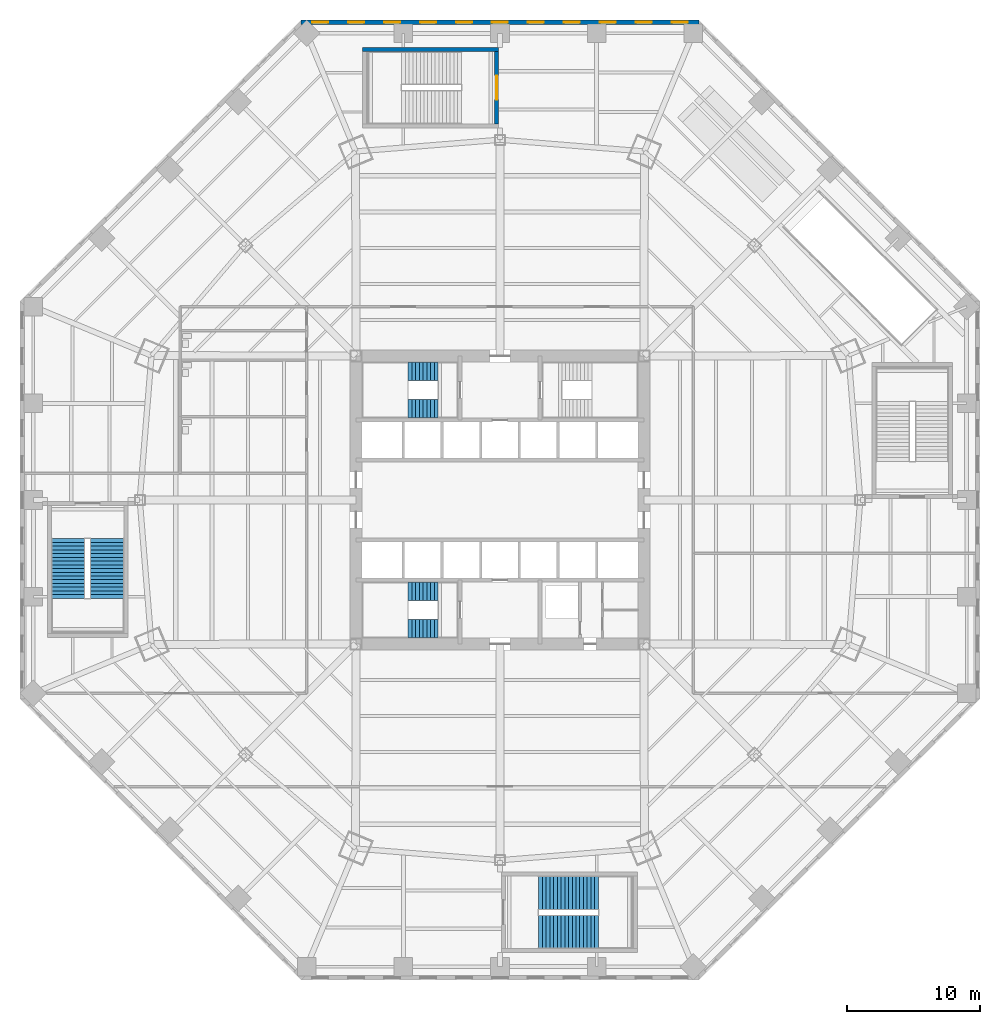
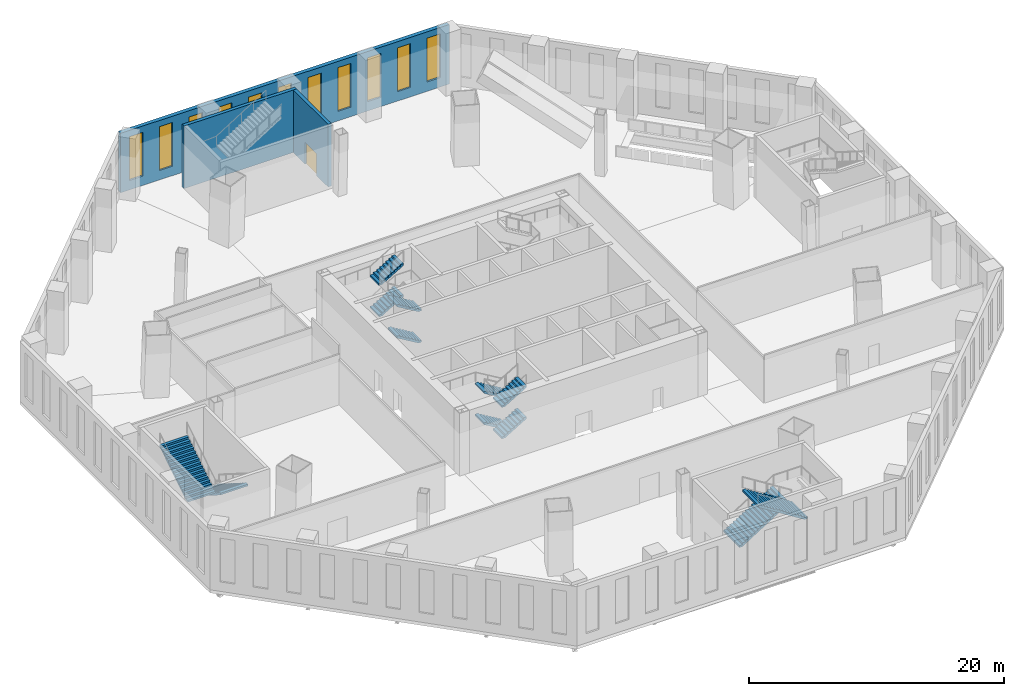
# One storey, part 13 of 20: 12 stair flights, 11 windows, 3 walls, 1 door, 12 openings, 4 elements without a shape of their own.
"""IFC4 building model written with IfcOpenShell, lengths in metres."""

from ifc_helpers import new_model, si_unit, direction, frame, frame_2d, origin, place, context, subcontext, project, spatial, polyline, rectangle, outline, extrude, material, layer, layer_set, type_object, element, fill, aggregate, save


model = new_model("IFC4")

# Units and contexts
model_context = context("Model", 3, precision=1e-05, world=origin(), true_north=direction((0.0, 1.0)))
body_context = subcontext(model_context, "Body", "Model", "MODEL_VIEW")
ifc_project = project(units=[si_unit("LENGTHUNIT", "METRE"), si_unit("AREAUNIT", "SQUARE_METRE"), si_unit("VOLUMEUNIT", "CUBIC_METRE"), si_unit("PLANEANGLEUNIT", "RADIAN"), si_unit("MASSUNIT", "GRAM", prefix="KILO")], contexts=[model_context])

# Site, building, storey
site_placement = place(None, origin())
site = spatial("IfcSite", under=ifc_project, at=site_placement, CompositionType="ELEMENT")
building_placement = place(site_placement, origin())
building = spatial("IfcBuilding", under=site, at=building_placement, Name="Mashrafa Tower", CompositionType="ELEMENT")
storey_placement = place(building_placement, frame((0.0, 0.0, 7.199951171875)))
storey = spatial("IfcBuildingStorey", under=building, at=storey_placement, Name="L01", CompositionType="ELEMENT", Elevation=7.199951171875)

# Wall, openings, windows
ifc_material_1 = material(Name="Riyadh limestone cladding on blockwork", Category="masonry")
ifc_layer_1 = layer(ifc_material_1, 0.35009765625)
ifc_layer_set_1 = layer_set([ifc_layer_1], Name="Limestone-clad external wall 350")
wall_type_1 = type_object("IfcWallType", Name="Limestone-clad external wall 350", PredefinedType="SOLIDWALL", material=ifc_layer_set_1)
wall_1_placement = place(storey_placement, frame((14.91162109375, 35.824951171875, 0.0), z_axis=(0.0, 0.0, 1.0), x_axis=(-1.0, 0.0, 0.0)))
wall_1 = element("IfcWall", 1, at=wall_1_placement, inside=storey, type_object=wall_type_1, Name="Limestone-clad external wall L01 north", PredefinedType="SOLIDWALL", context=body_context, shape_type="SweptSolid", body=[
    extrude(rectangle(XDim=29.8232421875, YDim=0.35009765625, at=frame_2d((14.91162109375, 0.0))), origin(), (0.0, 0.0, 1.0), 5.699951171875),
])
opening_1_placement = place(wall_1_placement, frame((0.821533203125, 0.0, 0.89990234375)))
opening_1 = element("IfcOpeningElement", 2, at=opening_1_placement, cuts=wall_1, Name="Opening W1", PredefinedType="OPENING", context=body_context, shape_type="SweptSolid", body=[
    extrude(rectangle(XDim=1.199951171875, YDim=4.199951171875, at=frame_2d((0.60009765625, 2.10009765625))), frame((0.0, 0.18505859375, 0.0), z_axis=(0.0, -1.0, 0.0), x_axis=(1.0, 0.0, 0.0)), (0.0, 0.0, 1.0), 0.3701171875),
])
opening_2_placement = place(wall_1_placement, frame((3.51953125, 0.0, 0.89990234375)))
opening_2 = element("IfcOpeningElement", 3, at=opening_2_placement, cuts=wall_1, Name="Opening W1", PredefinedType="OPENING", context=body_context, shape_type="SweptSolid", body=[
    extrude(rectangle(XDim=1.199951171875, YDim=4.199951171875, at=frame_2d((0.60009765625, 2.10009765625))), frame((0.0, 0.18505859375, 0.0), z_axis=(0.0, -1.0, 0.0), x_axis=(1.0, 0.0, 0.0)), (0.0, 0.0, 1.0), 0.3701171875),
])
opening_3_placement = place(wall_1_placement, frame((6.217529296875, 0.0, 0.89990234375)))
opening_3 = element("IfcOpeningElement", 4, at=opening_3_placement, cuts=wall_1, Name="Opening W1", PredefinedType="OPENING", context=body_context, shape_type="SweptSolid", body=[
    extrude(rectangle(XDim=1.199951171875, YDim=4.199951171875, at=frame_2d((0.60009765625, 2.10009765625))), frame((0.0, 0.18505859375, 0.0), z_axis=(0.0, -1.0, 0.0), x_axis=(1.0, 0.0, 0.0)), (0.0, 0.0, 1.0), 0.3701171875),
])
opening_4_placement = place(wall_1_placement, frame((8.91552734375, 0.0, 0.89990234375)))
opening_4 = element("IfcOpeningElement", 5, at=opening_4_placement, cuts=wall_1, Name="Opening W1", PredefinedType="OPENING", context=body_context, shape_type="SweptSolid", body=[
    extrude(rectangle(XDim=1.199951171875, YDim=4.199951171875, at=frame_2d((0.60009765625, 2.10009765625))), frame((0.0, 0.18505859375, 0.0), z_axis=(0.0, -1.0, 0.0), x_axis=(1.0, 0.0, 0.0)), (0.0, 0.0, 1.0), 0.3701171875),
])
opening_5_placement = place(wall_1_placement, frame((11.61376953125, 0.0, 0.89990234375)))
opening_5 = element("IfcOpeningElement", 6, at=opening_5_placement, cuts=wall_1, Name="Opening W1", PredefinedType="OPENING", context=body_context, shape_type="SweptSolid", body=[
    extrude(rectangle(XDim=1.199951171875, YDim=4.199951171875, at=frame_2d((0.60009765625, 2.10009765625))), frame((0.0, 0.18505859375, 0.0), z_axis=(0.0, -1.0, 0.0), x_axis=(1.0, 0.0, 0.0)), (0.0, 0.0, 1.0), 0.3701171875),
])
opening_6_placement = place(wall_1_placement, frame((14.311767578125, 0.0, 0.89990234375)))
opening_6 = element("IfcOpeningElement", 7, at=opening_6_placement, cuts=wall_1, Name="Opening W1", PredefinedType="OPENING", context=body_context, shape_type="SweptSolid", body=[
    extrude(rectangle(XDim=1.199951171875, YDim=4.199951171875, at=frame_2d((0.60009765625, 2.10009765625))), frame((0.0, 0.18505859375, 0.0), z_axis=(0.0, -1.0, 0.0), x_axis=(1.0, 0.0, 0.0)), (0.0, 0.0, 1.0), 0.3701171875),
])
opening_7_placement = place(wall_1_placement, frame((17.009765625, 0.0, 0.89990234375)))
opening_7 = element("IfcOpeningElement", 8, at=opening_7_placement, cuts=wall_1, Name="Opening W1", PredefinedType="OPENING", context=body_context, shape_type="SweptSolid", body=[
    extrude(rectangle(XDim=1.199951171875, YDim=4.199951171875, at=frame_2d((0.60009765625, 2.10009765625))), frame((0.0, 0.18505859375, 0.0), z_axis=(0.0, -1.0, 0.0), x_axis=(1.0, 0.0, 0.0)), (0.0, 0.0, 1.0), 0.3701171875),
])
opening_8_placement = place(wall_1_placement, frame((19.707763671875, 0.0, 0.89990234375)))
opening_8 = element("IfcOpeningElement", 9, at=opening_8_placement, cuts=wall_1, Name="Opening W1", PredefinedType="OPENING", context=body_context, shape_type="SweptSolid", body=[
    extrude(rectangle(XDim=1.199951171875, YDim=4.199951171875, at=frame_2d((0.60009765625, 2.10009765625))), frame((0.0, 0.18505859375, 0.0), z_axis=(0.0, -1.0, 0.0), x_axis=(1.0, 0.0, 0.0)), (0.0, 0.0, 1.0), 0.3701171875),
])
opening_9_placement = place(wall_1_placement, frame((22.40576171875, 0.0, 0.89990234375)))
opening_9 = element("IfcOpeningElement", 10, at=opening_9_placement, cuts=wall_1, Name="Opening W1", PredefinedType="OPENING", context=body_context, shape_type="SweptSolid", body=[
    extrude(rectangle(XDim=1.199951171875, YDim=4.199951171875, at=frame_2d((0.60009765625, 2.10009765625))), frame((0.0, 0.18505859375, 0.0), z_axis=(0.0, -1.0, 0.0), x_axis=(1.0, 0.0, 0.0)), (0.0, 0.0, 1.0), 0.3701171875),
])
opening_10_placement = place(wall_1_placement, frame((25.103759765625, 0.0, 0.89990234375)))
opening_10 = element("IfcOpeningElement", 11, at=opening_10_placement, cuts=wall_1, Name="Opening W1", PredefinedType="OPENING", context=body_context, shape_type="SweptSolid", body=[
    extrude(rectangle(XDim=1.199951171875, YDim=4.199951171875, at=frame_2d((0.60009765625, 2.10009765625))), frame((0.0, 0.18505859375, 0.0), z_axis=(0.0, -1.0, 0.0), x_axis=(1.0, 0.0, 0.0)), (0.0, 0.0, 1.0), 0.3701171875),
])
opening_11_placement = place(wall_1_placement, frame((27.8017578125, 0.0, 0.89990234375)))
opening_11 = element("IfcOpeningElement", 12, at=opening_11_placement, cuts=wall_1, Name="Opening W1", PredefinedType="OPENING", context=body_context, shape_type="SweptSolid", body=[
    extrude(rectangle(XDim=1.199951171875, YDim=4.199951171875, at=frame_2d((0.60009765625, 2.10009765625))), frame((0.0, 0.18505859375, 0.0), z_axis=(0.0, -1.0, 0.0), x_axis=(1.0, 0.0, 0.0)), (0.0, 0.0, 1.0), 0.3701171875),
])
ifc_material_2 = material(Name="Bronze-framed insulated glazing", Category="glass")
window_type = type_object("IfcWindowType", Name="Tall punched window 1200 x 4200", PartitioningType="DOUBLE_PANEL_HORIZONTAL", PredefinedType="WINDOW", material=ifc_material_2)
window_1_placement = place(opening_1_placement, origin())
window_1 = element("IfcWindow", 13, at=window_1_placement, inside=storey, type_object=window_type, Name="Window W1 L01 north bay 1", OverallHeight=4.199951171875, OverallWidth=1.199951171875, PartitioningType="SINGLE_PANEL", PredefinedType="WINDOW", context=body_context, shape_type="SweptSolid", body=[
    extrude(rectangle(XDim=1.199951171875, YDim=4.199951171875, at=frame_2d((0.60009765625, 2.10009765625))), frame((0.0, 0.030029296875, 0.0), z_axis=(0.0, -1.0, 0.0), x_axis=(1.0, 0.0, 0.0)), (0.0, 0.0, 1.0), 0.06005859375),
])
fill(opening_1, window_1)
window_2_placement = place(opening_2_placement, origin())
window_2 = element("IfcWindow", 14, at=window_2_placement, inside=storey, type_object=window_type, Name="Window W1 L01 north bay 2", OverallHeight=4.199951171875, OverallWidth=1.199951171875, PartitioningType="SINGLE_PANEL", PredefinedType="WINDOW", context=body_context, shape_type="SweptSolid", body=[
    extrude(rectangle(XDim=1.199951171875, YDim=4.199951171875, at=frame_2d((0.60009765625, 2.10009765625))), frame((0.0, 0.030029296875, 0.0), z_axis=(0.0, -1.0, 0.0), x_axis=(1.0, 0.0, 0.0)), (0.0, 0.0, 1.0), 0.06005859375),
])
fill(opening_2, window_2)
window_3_placement = place(opening_3_placement, origin())
window_3 = element("IfcWindow", 15, at=window_3_placement, inside=storey, type_object=window_type, Name="Window W1 L01 north bay 3", OverallHeight=4.199951171875, OverallWidth=1.199951171875, PartitioningType="SINGLE_PANEL", PredefinedType="WINDOW", context=body_context, shape_type="SweptSolid", body=[
    extrude(rectangle(XDim=1.199951171875, YDim=4.199951171875, at=frame_2d((0.60009765625, 2.10009765625))), frame((0.0, 0.030029296875, 0.0), z_axis=(0.0, -1.0, 0.0), x_axis=(1.0, 0.0, 0.0)), (0.0, 0.0, 1.0), 0.06005859375),
])
fill(opening_3, window_3)
window_4_placement = place(opening_4_placement, origin())
window_4 = element("IfcWindow", 16, at=window_4_placement, inside=storey, type_object=window_type, Name="Window W1 L01 north bay 4", OverallHeight=4.199951171875, OverallWidth=1.199951171875, PartitioningType="SINGLE_PANEL", PredefinedType="WINDOW", context=body_context, shape_type="SweptSolid", body=[
    extrude(rectangle(XDim=1.199951171875, YDim=4.199951171875, at=frame_2d((0.60009765625, 2.10009765625))), frame((0.0, 0.030029296875, 0.0), z_axis=(0.0, -1.0, 0.0), x_axis=(1.0, 0.0, 0.0)), (0.0, 0.0, 1.0), 0.06005859375),
])
fill(opening_4, window_4)
window_5_placement = place(opening_5_placement, origin())
window_5 = element("IfcWindow", 17, at=window_5_placement, inside=storey, type_object=window_type, Name="Window W1 L01 north bay 5", OverallHeight=4.199951171875, OverallWidth=1.199951171875, PartitioningType="SINGLE_PANEL", PredefinedType="WINDOW", context=body_context, shape_type="SweptSolid", body=[
    extrude(rectangle(XDim=1.199951171875, YDim=4.199951171875, at=frame_2d((0.60009765625, 2.10009765625))), frame((0.0, 0.030029296875, 0.0), z_axis=(0.0, -1.0, 0.0), x_axis=(1.0, 0.0, 0.0)), (0.0, 0.0, 1.0), 0.06005859375),
])
fill(opening_5, window_5)
window_6_placement = place(opening_6_placement, origin())
window_6 = element("IfcWindow", 18, at=window_6_placement, inside=storey, type_object=window_type, Name="Window W1 L01 north bay 6", OverallHeight=4.199951171875, OverallWidth=1.199951171875, PartitioningType="SINGLE_PANEL", PredefinedType="WINDOW", context=body_context, shape_type="SweptSolid", body=[
    extrude(rectangle(XDim=1.199951171875, YDim=4.199951171875, at=frame_2d((0.60009765625, 2.10009765625))), frame((0.0, 0.030029296875, 0.0), z_axis=(0.0, -1.0, 0.0), x_axis=(1.0, 0.0, 0.0)), (0.0, 0.0, 1.0), 0.06005859375),
])
fill(opening_6, window_6)
window_7_placement = place(opening_7_placement, origin())
window_7 = element("IfcWindow", 19, at=window_7_placement, inside=storey, type_object=window_type, Name="Window W1 L01 north bay 7", OverallHeight=4.199951171875, OverallWidth=1.199951171875, PartitioningType="SINGLE_PANEL", PredefinedType="WINDOW", context=body_context, shape_type="SweptSolid", body=[
    extrude(rectangle(XDim=1.199951171875, YDim=4.199951171875, at=frame_2d((0.60009765625, 2.10009765625))), frame((0.0, 0.030029296875, 0.0), z_axis=(0.0, -1.0, 0.0), x_axis=(1.0, 0.0, 0.0)), (0.0, 0.0, 1.0), 0.06005859375),
])
fill(opening_7, window_7)
window_8_placement = place(opening_8_placement, origin())
window_8 = element("IfcWindow", 20, at=window_8_placement, inside=storey, type_object=window_type, Name="Window W1 L01 north bay 8", OverallHeight=4.199951171875, OverallWidth=1.199951171875, PartitioningType="SINGLE_PANEL", PredefinedType="WINDOW", context=body_context, shape_type="SweptSolid", body=[
    extrude(rectangle(XDim=1.199951171875, YDim=4.199951171875, at=frame_2d((0.60009765625, 2.10009765625))), frame((0.0, 0.030029296875, 0.0), z_axis=(0.0, -1.0, 0.0), x_axis=(1.0, 0.0, 0.0)), (0.0, 0.0, 1.0), 0.06005859375),
])
fill(opening_8, window_8)
window_9_placement = place(opening_9_placement, origin())
window_9 = element("IfcWindow", 21, at=window_9_placement, inside=storey, type_object=window_type, Name="Window W1 L01 north bay 9", OverallHeight=4.199951171875, OverallWidth=1.199951171875, PartitioningType="SINGLE_PANEL", PredefinedType="WINDOW", context=body_context, shape_type="SweptSolid", body=[
    extrude(rectangle(XDim=1.199951171875, YDim=4.199951171875, at=frame_2d((0.60009765625, 2.10009765625))), frame((0.0, 0.030029296875, 0.0), z_axis=(0.0, -1.0, 0.0), x_axis=(1.0, 0.0, 0.0)), (0.0, 0.0, 1.0), 0.06005859375),
])
fill(opening_9, window_9)
window_10_placement = place(opening_10_placement, origin())
window_10 = element("IfcWindow", 22, at=window_10_placement, inside=storey, type_object=window_type, Name="Window W1 L01 north bay 10", OverallHeight=4.199951171875, OverallWidth=1.199951171875, PartitioningType="SINGLE_PANEL", PredefinedType="WINDOW", context=body_context, shape_type="SweptSolid", body=[
    extrude(rectangle(XDim=1.199951171875, YDim=4.199951171875, at=frame_2d((0.60009765625, 2.10009765625))), frame((0.0, 0.030029296875, 0.0), z_axis=(0.0, -1.0, 0.0), x_axis=(1.0, 0.0, 0.0)), (0.0, 0.0, 1.0), 0.06005859375),
])
fill(opening_10, window_10)
window_11_placement = place(opening_11_placement, origin())
window_11 = element("IfcWindow", 23, at=window_11_placement, inside=storey, type_object=window_type, Name="Window W1 L01 north bay 11", OverallHeight=4.199951171875, OverallWidth=1.199951171875, PartitioningType="SINGLE_PANEL", PredefinedType="WINDOW", context=body_context, shape_type="SweptSolid", body=[
    extrude(rectangle(XDim=1.199951171875, YDim=4.199951171875, at=frame_2d((0.60009765625, 2.10009765625))), frame((0.0, 0.030029296875, 0.0), z_axis=(0.0, -1.0, 0.0), x_axis=(1.0, 0.0, 0.0)), (0.0, 0.0, 1.0), 0.06005859375),
])
fill(opening_11, window_11)

# Wall
ifc_material_3 = material(Name="Concrete C35/45", Category="concrete")
ifc_layer_2 = layer(ifc_material_3, 0.300048828125)
ifc_layer_set_2 = layer_set([ifc_layer_2], Name="Stair core wall 300 3 hr")
wall_type_2 = type_object("IfcWallType", Name="Stair core wall 300 3 hr", PredefinedType="SOLIDWALL", material=ifc_layer_set_2)
wall_2_placement = place(storey_placement, frame((-0.10009765625, 33.800048828125, 0.0), z_axis=(0.0, 0.0, 1.0), x_axis=(-1.0, 0.0, 0.0)))
element("IfcWall", 24, at=wall_2_placement, inside=storey, type_object=wall_type_2, Name="Stair P2 core wall N L01", PredefinedType="SOLIDWALL", context=body_context, shape_type="SweptSolid", body=[
    extrude(rectangle(XDim=10.199951171875, YDim=0.300048828125, at=frame_2d((5.10009765625, 0.0))), origin(), (0.0, 0.0, 1.0), 6.0),
])

# Wall, opening, door
wall_3_placement = place(storey_placement, frame((-0.25, 28.199951171875, 0.0), z_axis=(0.0, 0.0, 1.0), x_axis=(0.0, 1.0, 0.0)))
wall_3 = element("IfcWall", 25, at=wall_3_placement, inside=storey, type_object=wall_type_2, Name="Stair P2 core wall E L01", PredefinedType="SOLIDWALL", context=body_context, shape_type="SweptSolid", body=[
    extrude(rectangle(XDim=5.449951171875, YDim=0.300048828125, at=frame_2d((2.72509765625, 0.0))), origin(), (0.0, 0.0, 1.0), 6.0),
])
opening_12_placement = place(wall_3_placement, frame((1.824951171875, 0.0, 0.0)))
opening_12 = element("IfcOpeningElement", 26, at=opening_12_placement, cuts=wall_3, Name="Opening 01.025", PredefinedType="OPENING", context=body_context, shape_type="SweptSolid", body=[
    extrude(rectangle(XDim=1.800048828125, YDim=2.10009765625, at=frame_2d((0.89990234375, 1.050048828125))), frame((0.0, 0.159912109375, 0.0), z_axis=(0.0, -1.0, 0.0), x_axis=(1.0, 0.0, 0.0)), (0.0, 0.0, 1.0), 0.320068359375),
])
ifc_material_4 = material(Name="Steel door", Category="steel")
door_type = type_object("IfcDoorType", Name="Stair door pair 1800 x 2100 90 min", OperationType="DOUBLE_DOOR_SINGLE_SWING", PredefinedType="DOOR", material=ifc_material_4)
door_placement = place(opening_12_placement, origin())
door = element("IfcDoor", 27, at=door_placement, inside=storey, type_object=door_type, Name="Stair P2 door L01", OperationType="DOUBLE_DOOR_SINGLE_SWING", OverallHeight=2.10009765625, OverallWidth=1.800048828125, PredefinedType="DOOR", context=body_context, shape_type="SweptSolid", body=[
    extrude(rectangle(XDim=1.800048828125, YDim=2.10009765625, at=frame_2d((0.89990234375, 1.050048828125))), frame((0.0, 0.02490234375, 0.0), z_axis=(0.0, -1.0, 0.0), x_axis=(1.0, 0.0, 0.0)), (0.0, 0.0, 1.0), 0.050048828125),
])
fill(opening_12, door)

# Stair, stair flights
ifc_material_5 = material(Name="Exit stair 1400")
stair_type_1 = type_object("IfcStairType", Name="Exit stair 1400", PredefinedType="HALF_TURN_STAIR", material=ifc_material_5)
stair_1_placement = place(storey_placement, origin())
stair_1 = element("IfcStair", 28, at=stair_1_placement, inside=storey, type_object=stair_type_1, Name="Stair S1 L01", PredefinedType="HALF_TURN_STAIR")
ifc_material_6 = material(Name="Concrete C32/40", Category="concrete")
stair_flight_type_1 = type_object("IfcStairFlightType", Name="Stair flight 1400", PredefinedType="STRAIGHT", material=ifc_material_6)
stair_flight_1_placement = place(storey_placement, frame((-4.64990234375, 6.85009765625, 0.0), z_axis=(0.0, 0.0, 1.0), x_axis=(-1.0, 0.0, 0.0)))
stair_flight_1 = element("IfcStairFlight", 29, at=stair_flight_1_placement, type_object=stair_flight_type_1, Name="S1 flight 1", NumberOfRisers=9, NumberOfTreads=8, PredefinedType="STRAIGHT", RiserHeight=0.166666667, TreadLength=0.28, context=body_context, shape_type="SweptSolid", body=[
    extrude(outline(polyline([(0.0, 0.0), (0.0, 0.166748046875), (0.280029296875, 0.166748046875), (0.280029296875, 0.333251953125), (0.56005859375, 0.333251953125), (0.56005859375, 0.5), (0.840087890625, 0.5), (0.840087890625, 0.666748046875), (1.1201171875, 0.666748046875), (1.1201171875, 0.833251953125), (1.39990234375, 0.833251953125), (1.39990234375, 1.0), (1.679931640625, 1.0), (1.679931640625, 1.166748046875), (1.9599609375, 1.166748046875), (1.9599609375, 1.333251953125), (2.239990234375, 1.333251953125), (2.239990234375, 1.5), (2.239990234375, 1.158935546875), (0.29296875, 0.0), (0.0, 0.0)])), frame((0.0, 0.699951171875, 0.0), z_axis=(0.0, -1.0, 0.0), x_axis=(1.0, 0.0, 0.0)), (0.0, 0.0, 1.0), 1.39990234375),
])
stair_flight_2_placement = place(storey_placement, frame((-6.889892578125, 9.64990234375, 1.5), z_axis=(0.0, 0.0, 1.0), x_axis=(1.0, 0.0, 0.0)))
stair_flight_2 = element("IfcStairFlight", 30, at=stair_flight_2_placement, type_object=stair_flight_type_1, Name="S1 flight 2", NumberOfRisers=9, NumberOfTreads=8, PredefinedType="STRAIGHT", RiserHeight=0.166666667, TreadLength=0.28, context=body_context, shape_type="SweptSolid", body=[
    extrude(outline(polyline([(0.0, 0.0), (0.0, 0.166748046875), (0.280029296875, 0.166748046875), (0.280029296875, 0.333251953125), (0.56005859375, 0.333251953125), (0.56005859375, 0.5), (0.840087890625, 0.5), (0.840087890625, 0.666748046875), (1.1201171875, 0.666748046875), (1.1201171875, 0.833251953125), (1.39990234375, 0.833251953125), (1.39990234375, 1.0), (1.679931640625, 1.0), (1.679931640625, 1.166748046875), (1.9599609375, 1.166748046875), (1.9599609375, 1.333251953125), (2.239990234375, 1.333251953125), (2.239990234375, 1.5), (2.239990234375, 1.158935546875), (0.29296875, 0.0), (0.0, 0.0)])), frame((0.0, 0.699951171875, 0.0), z_axis=(0.0, -1.0, 0.0), x_axis=(1.0, 0.0, 0.0)), (0.0, 0.0, 1.0), 1.39990234375),
])
stair_flight_3_placement = place(storey_placement, frame((-4.64990234375, 6.85009765625, 3.0), z_axis=(0.0, 0.0, 1.0), x_axis=(-1.0, 0.0, 0.0)))
stair_flight_3 = element("IfcStairFlight", 31, at=stair_flight_3_placement, type_object=stair_flight_type_1, Name="S1 flight 3", NumberOfRisers=9, NumberOfTreads=8, PredefinedType="STRAIGHT", RiserHeight=0.166666667, TreadLength=0.28, context=body_context, shape_type="SweptSolid", body=[
    extrude(outline(polyline([(0.0, 0.0), (0.0, 0.166748046875), (0.280029296875, 0.166748046875), (0.280029296875, 0.333251953125), (0.56005859375, 0.333251953125), (0.56005859375, 0.5), (0.840087890625, 0.5), (0.840087890625, 0.666748046875), (1.1201171875, 0.666748046875), (1.1201171875, 0.833251953125), (1.39990234375, 0.833251953125), (1.39990234375, 1.0), (1.679931640625, 1.0), (1.679931640625, 1.166748046875), (1.9599609375, 1.166748046875), (1.9599609375, 1.333251953125), (2.239990234375, 1.333251953125), (2.239990234375, 1.5), (2.239990234375, 1.158935546875), (0.29296875, 0.0), (0.0, 0.0)])), frame((0.0, 0.699951171875, 0.0), z_axis=(0.0, -1.0, 0.0), x_axis=(1.0, 0.0, 0.0)), (0.0, 0.0, 1.0), 1.39990234375),
])
stair_flight_4_placement = place(storey_placement, frame((-6.889892578125, 9.64990234375, 4.5), z_axis=(0.0, 0.0, 1.0), x_axis=(1.0, 0.0, 0.0)))
stair_flight_4 = element("IfcStairFlight", 32, at=stair_flight_4_placement, type_object=stair_flight_type_1, Name="S1 flight 4", NumberOfRisers=9, NumberOfTreads=8, PredefinedType="STRAIGHT", RiserHeight=0.166666667, TreadLength=0.28, context=body_context, shape_type="SweptSolid", body=[
    extrude(outline(polyline([(0.0, 0.0), (0.0, 0.166748046875), (0.280029296875, 0.166748046875), (0.280029296875, 0.333251953125), (0.56005859375, 0.333251953125), (0.56005859375, 0.5), (0.840087890625, 0.5), (0.840087890625, 0.666748046875), (1.1201171875, 0.666748046875), (1.1201171875, 0.833251953125), (1.39990234375, 0.833251953125), (1.39990234375, 1.0), (1.679931640625, 1.0), (1.679931640625, 1.166748046875), (1.9599609375, 1.166748046875), (1.9599609375, 1.333251953125), (2.239990234375, 1.333251953125), (2.239990234375, 1.5), (2.239990234375, 1.158935546875), (0.29296875, 0.0), (0.0, 0.0)])), frame((0.0, 0.699951171875, 0.0), z_axis=(0.0, -1.0, 0.0), x_axis=(1.0, 0.0, 0.0)), (0.0, 0.0, 1.0), 1.39990234375),
])
aggregate(stair_1, [stair_flight_1, stair_flight_2, stair_flight_3, stair_flight_4])

stair_2_placement = place(storey_placement, origin())
stair_2 = element("IfcStair", 33, at=stair_2_placement, inside=storey, type_object=stair_type_1, Name="Stair S3 L01", PredefinedType="HALF_TURN_STAIR")
stair_flight_5_placement = place(storey_placement, frame((-4.64990234375, -6.85009765625, 0.0), z_axis=(0.0, 0.0, 1.0), x_axis=(-1.0, 0.0, 0.0)))
stair_flight_5 = element("IfcStairFlight", 34, at=stair_flight_5_placement, type_object=stair_flight_type_1, Name="S3 flight 1", NumberOfRisers=9, NumberOfTreads=8, PredefinedType="STRAIGHT", RiserHeight=0.166666667, TreadLength=0.28, context=body_context, shape_type="SweptSolid", body=[
    extrude(outline(polyline([(0.0, 0.0), (0.0, 0.166748046875), (0.280029296875, 0.166748046875), (0.280029296875, 0.333251953125), (0.56005859375, 0.333251953125), (0.56005859375, 0.5), (0.840087890625, 0.5), (0.840087890625, 0.666748046875), (1.1201171875, 0.666748046875), (1.1201171875, 0.833251953125), (1.39990234375, 0.833251953125), (1.39990234375, 1.0), (1.679931640625, 1.0), (1.679931640625, 1.166748046875), (1.9599609375, 1.166748046875), (1.9599609375, 1.333251953125), (2.239990234375, 1.333251953125), (2.239990234375, 1.5), (2.239990234375, 1.158935546875), (0.29296875, 0.0), (0.0, 0.0)])), frame((0.0, 0.699951171875, 0.0), z_axis=(0.0, -1.0, 0.0), x_axis=(1.0, 0.0, 0.0)), (0.0, 0.0, 1.0), 1.39990234375),
])
stair_flight_6_placement = place(storey_placement, frame((-6.889892578125, -9.64990234375, 1.5), z_axis=(0.0, 0.0, 1.0), x_axis=(1.0, 0.0, 0.0)))
stair_flight_6 = element("IfcStairFlight", 35, at=stair_flight_6_placement, type_object=stair_flight_type_1, Name="S3 flight 2", NumberOfRisers=9, NumberOfTreads=8, PredefinedType="STRAIGHT", RiserHeight=0.166666667, TreadLength=0.28, context=body_context, shape_type="SweptSolid", body=[
    extrude(outline(polyline([(0.0, 0.0), (0.0, 0.166748046875), (0.280029296875, 0.166748046875), (0.280029296875, 0.333251953125), (0.56005859375, 0.333251953125), (0.56005859375, 0.5), (0.840087890625, 0.5), (0.840087890625, 0.666748046875), (1.1201171875, 0.666748046875), (1.1201171875, 0.833251953125), (1.39990234375, 0.833251953125), (1.39990234375, 1.0), (1.679931640625, 1.0), (1.679931640625, 1.166748046875), (1.9599609375, 1.166748046875), (1.9599609375, 1.333251953125), (2.239990234375, 1.333251953125), (2.239990234375, 1.5), (2.239990234375, 1.158935546875), (0.29296875, 0.0), (0.0, 0.0)])), frame((0.0, 0.699951171875, 0.0), z_axis=(0.0, -1.0, 0.0), x_axis=(1.0, 0.0, 0.0)), (0.0, 0.0, 1.0), 1.39990234375),
])
stair_flight_7_placement = place(storey_placement, frame((-4.64990234375, -6.85009765625, 3.0), z_axis=(0.0, 0.0, 1.0), x_axis=(-1.0, 0.0, 0.0)))
stair_flight_7 = element("IfcStairFlight", 36, at=stair_flight_7_placement, type_object=stair_flight_type_1, Name="S3 flight 3", NumberOfRisers=9, NumberOfTreads=8, PredefinedType="STRAIGHT", RiserHeight=0.166666667, TreadLength=0.28, context=body_context, shape_type="SweptSolid", body=[
    extrude(outline(polyline([(0.0, 0.0), (0.0, 0.166748046875), (0.280029296875, 0.166748046875), (0.280029296875, 0.333251953125), (0.56005859375, 0.333251953125), (0.56005859375, 0.5), (0.840087890625, 0.5), (0.840087890625, 0.666748046875), (1.1201171875, 0.666748046875), (1.1201171875, 0.833251953125), (1.39990234375, 0.833251953125), (1.39990234375, 1.0), (1.679931640625, 1.0), (1.679931640625, 1.166748046875), (1.9599609375, 1.166748046875), (1.9599609375, 1.333251953125), (2.239990234375, 1.333251953125), (2.239990234375, 1.5), (2.239990234375, 1.158935546875), (0.29296875, 0.0), (0.0, 0.0)])), frame((0.0, 0.699951171875, 0.0), z_axis=(0.0, -1.0, 0.0), x_axis=(1.0, 0.0, 0.0)), (0.0, 0.0, 1.0), 1.39990234375),
])
stair_flight_8_placement = place(storey_placement, frame((-6.889892578125, -9.64990234375, 4.5), z_axis=(0.0, 0.0, 1.0), x_axis=(1.0, 0.0, 0.0)))
stair_flight_8 = element("IfcStairFlight", 37, at=stair_flight_8_placement, type_object=stair_flight_type_1, Name="S3 flight 4", NumberOfRisers=9, NumberOfTreads=8, PredefinedType="STRAIGHT", RiserHeight=0.166666667, TreadLength=0.28, context=body_context, shape_type="SweptSolid", body=[
    extrude(outline(polyline([(0.0, 0.0), (0.0, 0.166748046875), (0.280029296875, 0.166748046875), (0.280029296875, 0.333251953125), (0.56005859375, 0.333251953125), (0.56005859375, 0.5), (0.840087890625, 0.5), (0.840087890625, 0.666748046875), (1.1201171875, 0.666748046875), (1.1201171875, 0.833251953125), (1.39990234375, 0.833251953125), (1.39990234375, 1.0), (1.679931640625, 1.0), (1.679931640625, 1.166748046875), (1.9599609375, 1.166748046875), (1.9599609375, 1.333251953125), (2.239990234375, 1.333251953125), (2.239990234375, 1.5), (2.239990234375, 1.158935546875), (0.29296875, 0.0), (0.0, 0.0)])), frame((0.0, 0.699951171875, 0.0), z_axis=(0.0, -1.0, 0.0), x_axis=(1.0, 0.0, 0.0)), (0.0, 0.0, 1.0), 1.39990234375),
])
aggregate(stair_2, [stair_flight_5, stair_flight_6, stair_flight_7, stair_flight_8])

ifc_material_7 = material(Name="Exit stair 2500")
stair_type_2 = type_object("IfcStairType", Name="Exit stair 2500", PredefinedType="HALF_TURN_STAIR", material=ifc_material_7)
stair_3_placement = place(storey_placement, origin())
stair_3 = element("IfcStair", 38, at=stair_3_placement, inside=storey, type_object=stair_type_2, Name="Stair P3 L01", PredefinedType="HALF_TURN_STAIR")
ifc_material_8 = material(Name="Concrete C32/40", Category="concrete")
stair_flight_type_2 = type_object("IfcStairFlightType", Name="Stair flight 2500", PredefinedType="STRAIGHT", material=ifc_material_8)
stair_flight_9_placement = place(storey_placement, frame((-29.449951171875, -2.89990234375, 0.0), z_axis=(0.0, 0.0, 1.0), x_axis=(0.0, -1.0, 0.0)))
stair_flight_9 = element("IfcStairFlight", 39, at=stair_flight_9_placement, type_object=stair_flight_type_2, Name="P3 flight 1", NumberOfRisers=17, NumberOfTreads=16, PredefinedType="STRAIGHT", RiserHeight=0.176470588, TreadLength=0.28, context=body_context, shape_type="SweptSolid", body=[
    extrude(outline(polyline([(0.0, 0.0), (0.0, 0.176513671875), (0.280029296875, 0.176513671875), (0.280029296875, 0.35302734375), (0.56005859375, 0.35302734375), (0.56005859375, 0.529296875), (0.840087890625, 0.529296875), (0.840087890625, 0.705810546875), (1.1201171875, 0.705810546875), (1.1201171875, 0.88232421875), (1.39990234375, 0.88232421875), (1.39990234375, 1.058837890625), (1.679931640625, 1.058837890625), (1.679931640625, 1.2353515625), (1.9599609375, 1.2353515625), (1.9599609375, 1.411865234375), (2.239990234375, 1.411865234375), (2.239990234375, 1.588134765625), (2.52001953125, 1.588134765625), (2.52001953125, 1.7646484375), (2.800048828125, 1.7646484375), (2.800048828125, 1.941162109375), (3.080078125, 1.941162109375), (3.080078125, 2.11767578125), (3.360107421875, 2.11767578125), (3.360107421875, 2.294189453125), (3.639892578125, 2.294189453125), (3.639892578125, 2.470703125), (3.919921875, 2.470703125), (3.919921875, 2.64697265625), (4.199951171875, 2.64697265625), (4.199951171875, 2.823486328125), (4.47998046875, 2.823486328125), (4.47998046875, 3.0), (4.47998046875, 2.646240234375), (0.28125, 0.0), (0.0, 0.0)])), frame((0.0, 1.25, 0.0), z_axis=(0.0, -1.0, 0.0), x_axis=(1.0, 0.0, 0.0)), (0.0, 0.0, 1.0), 2.5),
])
stair_flight_10_placement = place(storey_placement, frame((-32.39990234375, -7.3798828125, 3.0), z_axis=(0.0, 0.0, 1.0), x_axis=(0.0, 1.0, 0.0)))
stair_flight_10 = element("IfcStairFlight", 40, at=stair_flight_10_placement, type_object=stair_flight_type_2, Name="P3 flight 2", NumberOfRisers=17, NumberOfTreads=16, PredefinedType="STRAIGHT", RiserHeight=0.176470588, TreadLength=0.28, context=body_context, shape_type="SweptSolid", body=[
    extrude(outline(polyline([(0.0, 0.0), (0.0, 0.176513671875), (0.280029296875, 0.176513671875), (0.280029296875, 0.35302734375), (0.56005859375, 0.35302734375), (0.56005859375, 0.529296875), (0.840087890625, 0.529296875), (0.840087890625, 0.705810546875), (1.1201171875, 0.705810546875), (1.1201171875, 0.88232421875), (1.39990234375, 0.88232421875), (1.39990234375, 1.058837890625), (1.679931640625, 1.058837890625), (1.679931640625, 1.2353515625), (1.9599609375, 1.2353515625), (1.9599609375, 1.411865234375), (2.239990234375, 1.411865234375), (2.239990234375, 1.588134765625), (2.52001953125, 1.588134765625), (2.52001953125, 1.7646484375), (2.800048828125, 1.7646484375), (2.800048828125, 1.941162109375), (3.080078125, 1.941162109375), (3.080078125, 2.11767578125), (3.360107421875, 2.11767578125), (3.360107421875, 2.294189453125), (3.639892578125, 2.294189453125), (3.639892578125, 2.470703125), (3.919921875, 2.470703125), (3.919921875, 2.64697265625), (4.199951171875, 2.64697265625), (4.199951171875, 2.823486328125), (4.47998046875, 2.823486328125), (4.47998046875, 3.0), (4.47998046875, 2.646240234375), (0.28125, 0.0), (0.0, 0.0)])), frame((0.0, 1.25, 0.0), z_axis=(0.0, -1.0, 0.0), x_axis=(1.0, 0.0, 0.0)), (0.0, 0.0, 1.0), 2.5),
])
aggregate(stair_3, [stair_flight_9, stair_flight_10])

stair_4_placement = place(storey_placement, origin())
stair_4 = element("IfcStair", 41, at=stair_4_placement, inside=storey, type_object=stair_type_2, Name="Stair P4 L01", PredefinedType="HALF_TURN_STAIR")
stair_flight_11_placement = place(storey_placement, frame((2.89990234375, -29.449951171875, 0.0), z_axis=(0.0, 0.0, 1.0), x_axis=(1.0, 0.0, 0.0)))
stair_flight_11 = element("IfcStairFlight", 42, at=stair_flight_11_placement, type_object=stair_flight_type_2, Name="P4 flight 1", NumberOfRisers=17, NumberOfTreads=16, PredefinedType="STRAIGHT", RiserHeight=0.176470588, TreadLength=0.28, context=body_context, shape_type="SweptSolid", body=[
    extrude(outline(polyline([(0.0, 0.0), (0.0, 0.176513671875), (0.280029296875, 0.176513671875), (0.280029296875, 0.35302734375), (0.56005859375, 0.35302734375), (0.56005859375, 0.529296875), (0.840087890625, 0.529296875), (0.840087890625, 0.705810546875), (1.1201171875, 0.705810546875), (1.1201171875, 0.88232421875), (1.39990234375, 0.88232421875), (1.39990234375, 1.058837890625), (1.679931640625, 1.058837890625), (1.679931640625, 1.2353515625), (1.9599609375, 1.2353515625), (1.9599609375, 1.411865234375), (2.239990234375, 1.411865234375), (2.239990234375, 1.588134765625), (2.52001953125, 1.588134765625), (2.52001953125, 1.7646484375), (2.800048828125, 1.7646484375), (2.800048828125, 1.941162109375), (3.080078125, 1.941162109375), (3.080078125, 2.11767578125), (3.360107421875, 2.11767578125), (3.360107421875, 2.294189453125), (3.639892578125, 2.294189453125), (3.639892578125, 2.470703125), (3.919921875, 2.470703125), (3.919921875, 2.64697265625), (4.199951171875, 2.64697265625), (4.199951171875, 2.823486328125), (4.47998046875, 2.823486328125), (4.47998046875, 3.0), (4.47998046875, 2.646240234375), (0.28125, 0.0), (0.0, 0.0)])), frame((0.0, 1.25, 0.0), z_axis=(0.0, -1.0, 0.0), x_axis=(1.0, 0.0, 0.0)), (0.0, 0.0, 1.0), 2.5),
])
stair_flight_12_placement = place(storey_placement, frame((7.3798828125, -32.39990234375, 3.0), z_axis=(0.0, 0.0, 1.0), x_axis=(-1.0, 0.0, 0.0)))
stair_flight_12 = element("IfcStairFlight", 43, at=stair_flight_12_placement, type_object=stair_flight_type_2, Name="P4 flight 2", NumberOfRisers=17, NumberOfTreads=16, PredefinedType="STRAIGHT", RiserHeight=0.176470588, TreadLength=0.28, context=body_context, shape_type="SweptSolid", body=[
    extrude(outline(polyline([(0.0, 0.0), (0.0, 0.176513671875), (0.280029296875, 0.176513671875), (0.280029296875, 0.35302734375), (0.56005859375, 0.35302734375), (0.56005859375, 0.529296875), (0.840087890625, 0.529296875), (0.840087890625, 0.705810546875), (1.1201171875, 0.705810546875), (1.1201171875, 0.88232421875), (1.39990234375, 0.88232421875), (1.39990234375, 1.058837890625), (1.679931640625, 1.058837890625), (1.679931640625, 1.2353515625), (1.9599609375, 1.2353515625), (1.9599609375, 1.411865234375), (2.239990234375, 1.411865234375), (2.239990234375, 1.588134765625), (2.52001953125, 1.588134765625), (2.52001953125, 1.7646484375), (2.800048828125, 1.7646484375), (2.800048828125, 1.941162109375), (3.080078125, 1.941162109375), (3.080078125, 2.11767578125), (3.360107421875, 2.11767578125), (3.360107421875, 2.294189453125), (3.639892578125, 2.294189453125), (3.639892578125, 2.470703125), (3.919921875, 2.470703125), (3.919921875, 2.64697265625), (4.199951171875, 2.64697265625), (4.199951171875, 2.823486328125), (4.47998046875, 2.823486328125), (4.47998046875, 3.0), (4.47998046875, 2.646240234375), (0.28125, 0.0), (0.0, 0.0)])), frame((0.0, 1.25, 0.0), z_axis=(0.0, -1.0, 0.0), x_axis=(1.0, 0.0, 0.0)), (0.0, 0.0, 1.0), 2.5),
])
aggregate(stair_4, [stair_flight_11, stair_flight_12])

save(model, "model.ifc")
